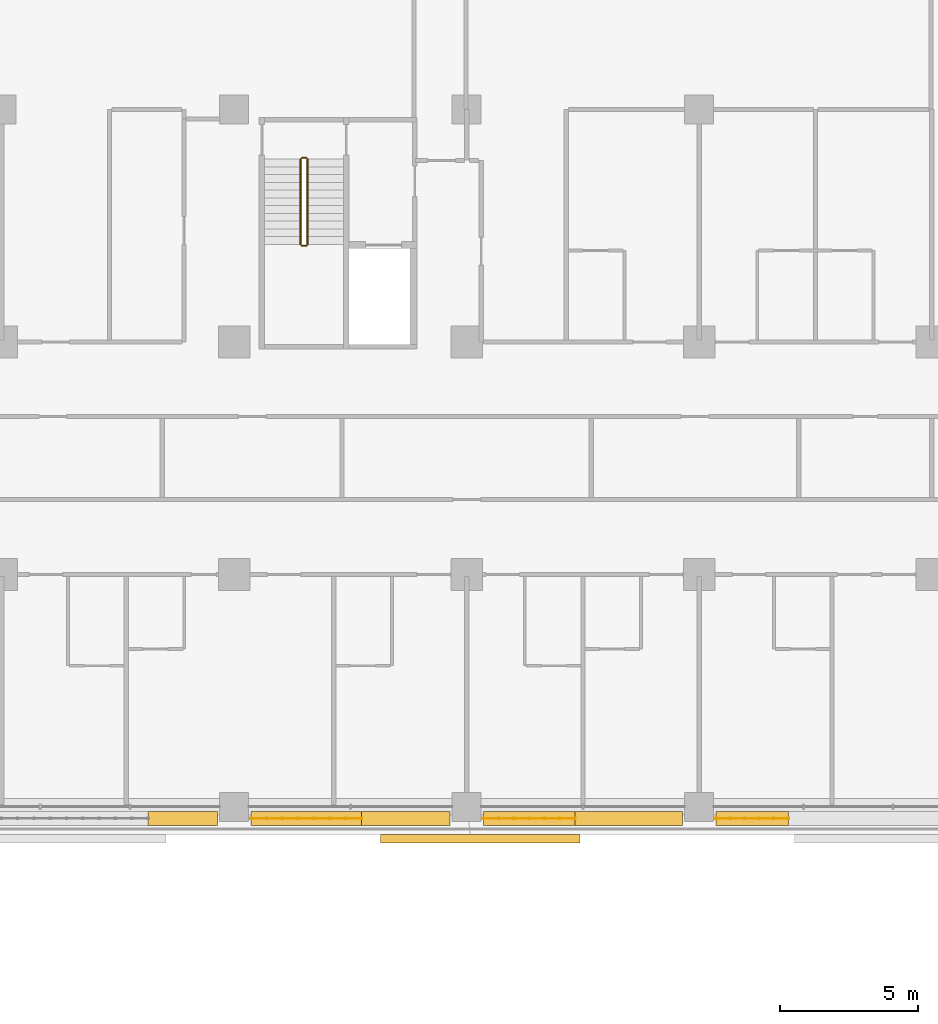
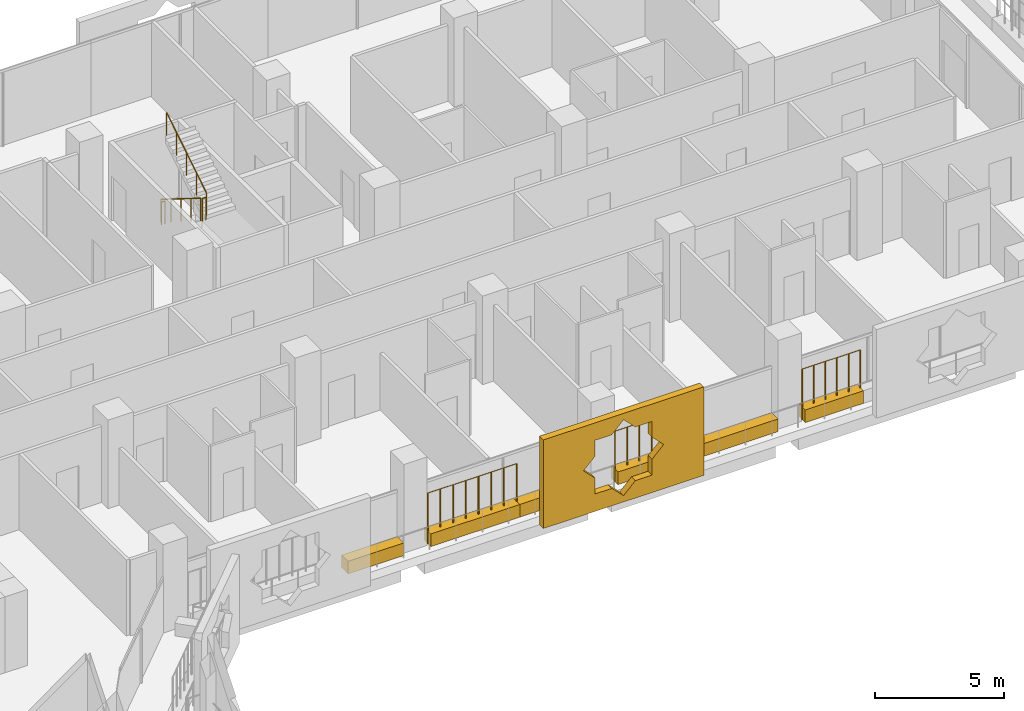
# One storey, part 23 of 25: 7 coverings, 7 railings.
"""IFC4 building model written with IfcOpenShell, lengths in metres."""

from ifc_helpers import new_model, si_unit, direction, frame, origin, origin_2d, place, context, subcontext, project, spatial, polyline, rectangle, circle, outline, extrude, material, material_profile, profile_set, type_object, element, save


model = new_model("IFC4")

# Units and contexts
model_context = context("Model", 3, precision=1e-05, world=origin(), true_north=direction((0.0, 1.0)))
body_context = subcontext(model_context, "Body", "Model", "MODEL_VIEW")
ifc_project = project(units=[si_unit("LENGTHUNIT", "METRE"), si_unit("AREAUNIT", "SQUARE_METRE"), si_unit("VOLUMEUNIT", "CUBIC_METRE"), si_unit("PLANEANGLEUNIT", "RADIAN"), si_unit("MASSUNIT", "GRAM", prefix="KILO")], contexts=[model_context])

# Site, building, storey
site_placement = place(None, origin())
site = spatial("IfcSite", under=ifc_project, at=site_placement, CompositionType="ELEMENT")
building_placement = place(site_placement, origin())
building = spatial("IfcBuilding", under=site, at=building_placement, Name="Kawkab Arch Medical Tower", CompositionType="ELEMENT")
storey_placement = place(building_placement, frame((0.0, 0.0, 132.39990234375)))
storey = spatial("IfcBuildingStorey", under=building, at=storey_placement, Name="L30", CompositionType="ELEMENT", Elevation=132.39990234375)

# Coverings
ifc_material_1 = material(Name="Bronze anodised aluminium mashrabiya panel, eight-point star pattern", Category="aluminium")
ifc_material_profile_1 = material_profile(ifc_material_1, outline(polyline([(-3.60009765625, -2.10009765625), (3.60009765625, -2.10009765625), (3.60009765625, 2.10009765625), (-3.60009765625, 2.10009765625), (-3.60009765625, -2.10009765625)]), holes=[polyline([(1.800048828125, 0.0), (1.272705078125, 0.527099609375), (1.272705078125, 1.272705078125), (0.527099609375, 1.272705078125), (0.0, 1.800048828125), (-0.527099609375, 1.272705078125), (-1.272705078125, 1.272705078125), (-1.272705078125, 0.527099609375), (-1.800048828125, 0.0), (-1.272705078125, -0.527099609375), (-1.272705078125, -1.272705078125), (-0.527099609375, -1.272705078125), (0.0, -1.800048828125), (0.527099609375, -1.272705078125), (1.272705078125, -1.272705078125), (1.272705078125, -0.527099609375), (1.800048828125, 0.0)])]), Name="Mashrabiya panel 7200x4200")
ifc_profile_set_1 = profile_set([ifc_material_profile_1], Name="Bronze anodised aluminium mashrabiya panel, eight-point star pattern")
covering_type_1 = type_object("IfcCoveringType", Name="Mashrabiya panel 7200 x 4200", PredefinedType="USERDEFINED", material=ifc_profile_set_1)
covering_1_placement = place(storey_placement, frame((50.892333984375, -26.199951171875, 1.7001953125), z_axis=(0.0, -1.0, 0.0), x_axis=(1.0, 0.0, 0.0)))
element("IfcCovering", 1, at=covering_1_placement, inside=storey, type_object=covering_type_1, Name="Mashrabiya panel L30.LOG-01-01.12", ObjectType="SCREEN", PredefinedType="USERDEFINED", context=body_context, shape_type="SweptSolid", body=[
    extrude(outline(polyline([(-3.60009765625, -2.10009765625), (3.60009765625, -2.10009765625), (3.60009765625, 2.10009765625), (-3.60009765625, 2.10009765625), (-3.60009765625, -2.10009765625)]), holes=[polyline([(1.800048828125, 0.0), (1.272705078125, 0.527099609375), (1.272705078125, 1.272705078125), (0.527099609375, 1.272705078125), (0.0, 1.800048828125), (-0.527099609375, 1.272705078125), (-1.272705078125, 1.272705078125), (-1.272705078125, 0.527099609375), (-1.800048828125, 0.0), (-1.272705078125, -0.527099609375), (-1.272705078125, -1.272705078125), (-0.527099609375, -1.272705078125), (0.0, -1.800048828125), (0.527099609375, -1.272705078125), (1.272705078125, -1.272705078125), (1.272705078125, -0.527099609375), (1.800048828125, 0.0)])]), origin(), (0.0, 0.0, 1.0), 0.300048828125),
])
ifc_material_2 = material(Name="Planting soil in a precast trough", Category="concrete")
ifc_material_profile_2 = material_profile(ifc_material_2, rectangle(XDim=0.5, YDim=0.60009765625, at=origin_2d()), Name="Trough 500x600")
ifc_profile_set_2 = profile_set([ifc_material_profile_2], Name="Planting soil in a precast trough")
covering_type_2 = type_object("IfcCoveringType", Name="Planter trough 500 x 600", PredefinedType="USERDEFINED", material=ifc_profile_set_2)
covering_2_placement = place(storey_placement, frame((62.01806640625, -25.6201171875, 0.300048828125), z_axis=(-1.0, 0.0, 0.0), x_axis=(0.0, -1.0, 0.0)))
element("IfcCovering", 2, at=covering_2_placement, inside=storey, type_object=covering_type_2, Name="Planter L30.LOG-01-01.35", ObjectType="PLANTER", PredefinedType="USERDEFINED", context=body_context, shape_type="SweptSolid", body=[
    extrude(rectangle(XDim=0.5, YDim=0.60009765625, at=origin_2d()), origin(), (0.0, 0.0, 1.0), 2.613037109375),
])
covering_3_placement = place(storey_placement, frame((58.195068359375, -25.6201171875, 0.300048828125), z_axis=(-1.0, 0.0, 0.0), x_axis=(0.0, -1.0, 0.0)))
element("IfcCovering", 3, at=covering_3_placement, inside=storey, type_object=covering_type_2, Name="Planter L30.LOG-01-01.36", ObjectType="PLANTER", PredefinedType="USERDEFINED", context=body_context, shape_type="SweptSolid", body=[
    extrude(rectangle(XDim=0.5, YDim=0.60009765625, at=origin_2d()), origin(), (0.0, 0.0, 1.0), 3.885986328125),
])
covering_4_placement = place(storey_placement, frame((54.30908203125, -25.6201171875, 0.300048828125), z_axis=(-1.0, 0.0, 0.0), x_axis=(0.0, -1.0, 0.0)))
element("IfcCovering", 4, at=covering_4_placement, inside=storey, type_object=covering_type_2, Name="Planter L30.LOG-01-01.37", ObjectType="PLANTER", PredefinedType="USERDEFINED", context=body_context, shape_type="SweptSolid", body=[
    extrude(rectangle(XDim=0.5, YDim=0.60009765625, at=origin_2d()), origin(), (0.0, 0.0, 1.0), 3.30419921875),
])
covering_5_placement = place(storey_placement, frame((49.794921875, -25.6201171875, 0.300048828125), z_axis=(-1.0, 0.0, 0.0), x_axis=(0.0, -1.0, 0.0)))
element("IfcCovering", 5, at=covering_5_placement, inside=storey, type_object=covering_type_2, Name="Planter L30.LOG-01-01.38", ObjectType="PLANTER", PredefinedType="USERDEFINED", context=body_context, shape_type="SweptSolid", body=[
    extrude(rectangle(XDim=0.5, YDim=0.60009765625, at=origin_2d()), origin(), (0.0, 0.0, 1.0), 3.19384765625),
])
covering_6_placement = place(storey_placement, frame((46.60107421875, -25.6201171875, 0.300048828125), z_axis=(-1.0, 0.0, 0.0), x_axis=(0.0, -1.0, 0.0)))
element("IfcCovering", 6, at=covering_6_placement, inside=storey, type_object=covering_type_2, Name="Planter L30.LOG-01-01.39", ObjectType="PLANTER", PredefinedType="USERDEFINED", context=body_context, shape_type="SweptSolid", body=[
    extrude(rectangle(XDim=0.5, YDim=0.60009765625, at=origin_2d()), origin(), (0.0, 0.0, 1.0), 3.99609375),
])
covering_7_placement = place(storey_placement, frame((41.39501953125, -25.6201171875, 0.300048828125), z_axis=(-1.0, 0.0, 0.0), x_axis=(0.0, -1.0, 0.0)))
element("IfcCovering", 7, at=covering_7_placement, inside=storey, type_object=covering_type_2, Name="Planter L30.LOG-01-01.40", ObjectType="PLANTER", PredefinedType="USERDEFINED", context=body_context, shape_type="SweptSolid", body=[
    extrude(rectangle(XDim=0.5, YDim=0.60009765625, at=origin_2d()), origin(), (0.0, 0.0, 1.0), 2.501953125),
])

# Railings
ifc_material_3 = material(Name="Bronze anodised aluminium trellis for climbing plants", Category="aluminium")
railing_type_1 = type_object("IfcRailingType", Name="Planting trellis 2400", PredefinedType="USERDEFINED", material=ifc_material_3)
railing_1_placement = place(storey_placement, frame((62.01806640625, -25.6201171875, 0.0)))
element("IfcRailing", 8, at=railing_1_placement, inside=storey, type_object=railing_type_1, Name="Planting trellis L30.LOG-01-01.35", ObjectType="TRELLIS", PredefinedType="USERDEFINED", context=body_context, shape_type="SweptSolid", body=[
    extrude(circle(Radius=0.01513671875, at=origin_2d()), frame((0.0, 0.0, 2.384765625), z_axis=(-1.0, 0.0, 0.0), x_axis=(0.0, -1.0, 0.0)), (0.0, 0.0, 1.0), 2.613037109375),
    extrude(circle(Radius=0.030029296875, at=origin_2d()), origin(), (0.0, 0.0, 1.0), 2.369873046875),
    extrude(circle(Radius=0.030029296875, at=origin_2d()), frame((-0.522705078125, 0.0, 0.0)), (0.0, 0.0, 1.0), 2.369873046875),
    extrude(circle(Radius=0.030029296875, at=origin_2d()), frame((-1.045166015625, 0.0, 0.0)), (0.0, 0.0, 1.0), 2.369873046875),
    extrude(circle(Radius=0.030029296875, at=origin_2d()), frame((-1.56787109375, 0.0, 0.0)), (0.0, 0.0, 1.0), 2.369873046875),
    extrude(circle(Radius=0.030029296875, at=origin_2d()), frame((-2.09033203125, 0.0, 0.0)), (0.0, 0.0, 1.0), 2.369873046875),
    extrude(circle(Radius=0.030029296875, at=origin_2d()), frame((-2.613037109375, 0.0, 0.0)), (0.0, 0.0, 1.0), 2.369873046875),
])
railing_2_placement = place(storey_placement, frame((54.30908203125, -25.6201171875, 0.0)))
element("IfcRailing", 9, at=railing_2_placement, inside=storey, type_object=railing_type_1, Name="Planting trellis L30.LOG-01-01.37", ObjectType="TRELLIS", PredefinedType="USERDEFINED", context=body_context, shape_type="SweptSolid", body=[
    extrude(circle(Radius=0.01513671875, at=origin_2d()), frame((0.0, 0.0, 2.384765625), z_axis=(-1.0, 0.0, 0.0), x_axis=(0.0, -1.0, 0.0)), (0.0, 0.0, 1.0), 3.30419921875),
    extrude(circle(Radius=0.030029296875, at=origin_2d()), origin(), (0.0, 0.0, 1.0), 2.369873046875),
    extrude(circle(Radius=0.030029296875, at=origin_2d()), frame((-0.55078125, 0.0, 0.0)), (0.0, 0.0, 1.0), 2.369873046875),
    extrude(circle(Radius=0.030029296875, at=origin_2d()), frame((-1.101318359375, 0.0, 0.0)), (0.0, 0.0, 1.0), 2.369873046875),
    extrude(circle(Radius=0.030029296875, at=origin_2d()), frame((-1.652099609375, 0.0, 0.0)), (0.0, 0.0, 1.0), 2.369873046875),
    extrude(circle(Radius=0.030029296875, at=origin_2d()), frame((-2.202880859375, 0.0, 0.0)), (0.0, 0.0, 1.0), 2.369873046875),
    extrude(circle(Radius=0.030029296875, at=origin_2d()), frame((-2.75341796875, 0.0, 0.0)), (0.0, 0.0, 1.0), 2.369873046875),
    extrude(circle(Radius=0.030029296875, at=origin_2d()), frame((-3.30419921875, 0.0, 0.0)), (0.0, 0.0, 1.0), 2.369873046875),
])
railing_3_placement = place(storey_placement, frame((46.60107421875, -25.6201171875, 0.0)))
element("IfcRailing", 10, at=railing_3_placement, inside=storey, type_object=railing_type_1, Name="Planting trellis L30.LOG-01-01.39", ObjectType="TRELLIS", PredefinedType="USERDEFINED", context=body_context, shape_type="SweptSolid", body=[
    extrude(circle(Radius=0.01513671875, at=origin_2d()), frame((0.0, 0.0, 2.384765625), z_axis=(-1.0, 0.0, 0.0), x_axis=(0.0, -1.0, 0.0)), (0.0, 0.0, 1.0), 3.99609375),
    extrude(circle(Radius=0.030029296875, at=origin_2d()), origin(), (0.0, 0.0, 1.0), 2.369873046875),
    extrude(circle(Radius=0.030029296875, at=origin_2d()), frame((-0.57080078125, 0.0, 0.0)), (0.0, 0.0, 1.0), 2.369873046875),
    extrude(circle(Radius=0.030029296875, at=origin_2d()), frame((-1.141845703125, 0.0, 0.0)), (0.0, 0.0, 1.0), 2.369873046875),
    extrude(circle(Radius=0.030029296875, at=origin_2d()), frame((-1.712646484375, 0.0, 0.0)), (0.0, 0.0, 1.0), 2.369873046875),
    extrude(circle(Radius=0.030029296875, at=origin_2d()), frame((-2.283447265625, 0.0, 0.0)), (0.0, 0.0, 1.0), 2.369873046875),
    extrude(circle(Radius=0.030029296875, at=origin_2d()), frame((-2.854248046875, 0.0, 0.0)), (0.0, 0.0, 1.0), 2.369873046875),
    extrude(circle(Radius=0.030029296875, at=origin_2d()), frame((-3.42529296875, 0.0, 0.0)), (0.0, 0.0, 1.0), 2.369873046875),
    extrude(circle(Radius=0.030029296875, at=origin_2d()), frame((-3.99609375, 0.0, 0.0)), (0.0, 0.0, 1.0), 2.369873046875),
])
ifc_material_4 = material(Name="Stainless steel", Category="steel")
railing_type_2 = type_object("IfcRailingType", Name="Stair guard 1100", PredefinedType="GUARDRAIL", material=ifc_material_4)
railing_4_placement = place(storey_placement, frame((44.39990234375, -1.800048828125, 0.175048828125)))
element("IfcRailing", 11, at=railing_4_placement, inside=storey, type_object=railing_type_2, Name="L30 ST5 stair guard 1", PredefinedType="GUARDRAIL", context=body_context, shape_type="SweptSolid", body=[
    extrude(circle(Radius=0.02392578125, at=origin_2d()), frame((0.0, 0.0, 1.076171875), z_axis=(0.0, -0.847979421464, 0.530029150871), x_axis=(1.0, 0.0, 0.0)), (0.0, 0.0, 1.0), 3.632080078125),
    extrude(circle(Radius=0.02099609375, at=origin_2d()), origin(), (0.0, 0.0, 1.0), 1.052001953125),
    extrude(circle(Radius=0.02099609375, at=origin_2d()), frame((0.0, -0.77001953125, 0.481201171875)), (0.0, 0.0, 1.0), 1.052001953125),
    extrude(circle(Radius=0.02099609375, at=origin_2d()), frame((0.0, -1.5400390625, 0.96240234375)), (0.0, 0.0, 1.0), 1.052001953125),
    extrude(circle(Radius=0.02099609375, at=origin_2d()), frame((0.0, -2.309814453125, 1.44384765625)), (0.0, 0.0, 1.0), 1.052001953125),
    extrude(circle(Radius=0.02099609375, at=origin_2d()), frame((0.0, -3.079833984375, 1.925048828125)), (0.0, 0.0, 1.0), 1.052001953125),
])
railing_5_placement = place(storey_placement, frame((44.449951171875, -4.929931640625, 2.10009765625)))
element("IfcRailing", 12, at=railing_5_placement, inside=storey, type_object=railing_type_2, Name="L30 ST5 stair guard 2", PredefinedType="GUARDRAIL", context=body_context, shape_type="SweptSolid", body=[
    extrude(circle(Radius=0.02392578125, at=origin_2d()), frame((0.0, 0.0, 1.076171875), z_axis=(1.0, 0.0, 0.0), x_axis=(0.0, 1.0, 0.0)), (0.0, 0.0, 1.0), 0.150146484375),
    extrude(circle(Radius=0.02099609375, at=origin_2d()), origin(), (0.0, 0.0, 1.0), 1.052001953125),
    extrude(circle(Radius=0.02099609375, at=origin_2d()), frame((0.150146484375, 0.0, 0.0)), (0.0, 0.0, 1.0), 1.052001953125),
])
railing_6_placement = place(storey_placement, frame((44.64990234375, -4.8798828125, 2.275146484375)))
element("IfcRailing", 13, at=railing_6_placement, inside=storey, type_object=railing_type_2, Name="L30 ST5 stair guard 3", PredefinedType="GUARDRAIL", context=body_context, shape_type="SweptSolid", body=[
    extrude(circle(Radius=0.02392578125, at=origin_2d()), frame((0.0, 0.0, 1.076171875), z_axis=(0.0, 0.847979421464, 0.530029150871), x_axis=(-1.0, 0.0, 0.0)), (0.0, 0.0, 1.0), 3.632080078125),
    extrude(circle(Radius=0.02099609375, at=origin_2d()), origin(), (0.0, 0.0, 1.0), 1.052001953125),
    extrude(circle(Radius=0.02099609375, at=origin_2d()), frame((0.0, 0.77001953125, 0.481201171875)), (0.0, 0.0, 1.0), 1.052001953125),
    extrude(circle(Radius=0.02099609375, at=origin_2d()), frame((0.0, 1.5400390625, 0.96240234375)), (0.0, 0.0, 1.0), 1.052001953125),
    extrude(circle(Radius=0.02099609375, at=origin_2d()), frame((0.0, 2.309814453125, 1.44384765625)), (0.0, 0.0, 1.0), 1.052001953125),
    extrude(circle(Radius=0.02099609375, at=origin_2d()), frame((0.0, 3.079833984375, 1.925048828125)), (0.0, 0.0, 1.0), 1.052001953125),
])
railing_7_placement = place(storey_placement, frame((44.449951171875, -1.75, 0.0)))
element("IfcRailing", 14, at=railing_7_placement, inside=storey, type_object=railing_type_2, Name="L30 ST5 stair guard 4", PredefinedType="GUARDRAIL", context=body_context, shape_type="SweptSolid", body=[
    extrude(circle(Radius=0.02392578125, at=origin_2d()), frame((0.0, 0.0, 1.076171875), z_axis=(1.0, 0.0, 0.0), x_axis=(0.0, 1.0, 0.0)), (0.0, 0.0, 1.0), 0.150146484375),
    extrude(circle(Radius=0.02099609375, at=origin_2d()), origin(), (0.0, 0.0, 1.0), 1.052001953125),
    extrude(circle(Radius=0.02099609375, at=origin_2d()), frame((0.150146484375, 0.0, 0.0)), (0.0, 0.0, 1.0), 1.052001953125),
])

save(model, "model.ifc")
